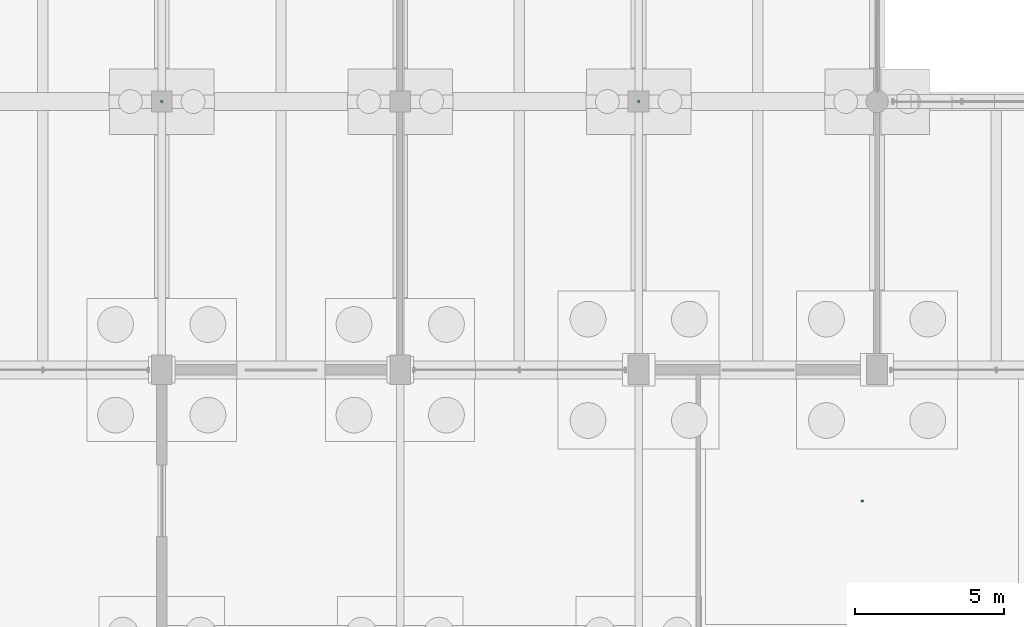
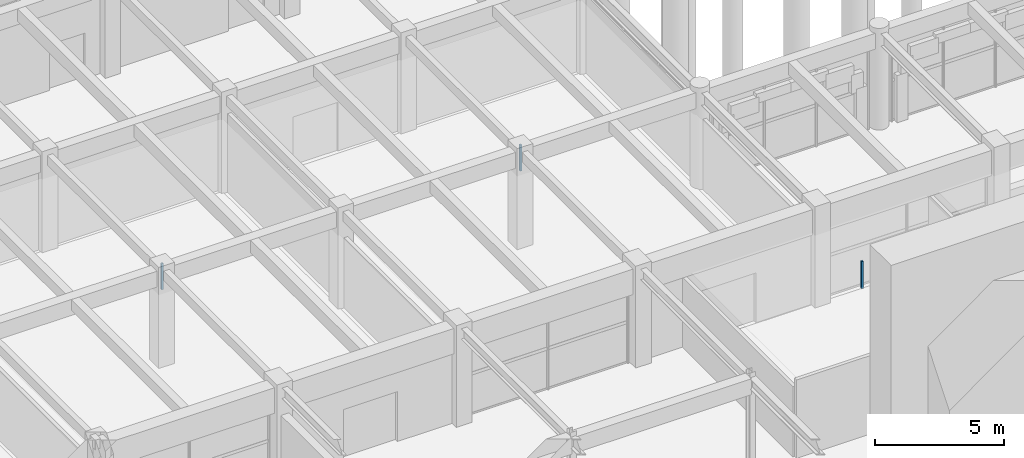
# One storey, part 120 of 147: 3 discrete accessories.
"""IFC4 building model written with IfcOpenShell, lengths in metres."""

from ifc_helpers import new_model, si_unit, direction, frame, origin, origin_2d, place, context, subcontext, project, spatial, rectangle, extrude, material, layer, layer_set, type_object, element, save


model = new_model("IFC4")

# Units and contexts
model_context = context("Model", 3, precision=1e-05, world=origin(), true_north=direction((0.0, 1.0)))
body_context = subcontext(model_context, "Body", "Model", "MODEL_VIEW")
ifc_project = project(units=[si_unit("LENGTHUNIT", "METRE"), si_unit("AREAUNIT", "SQUARE_METRE"), si_unit("VOLUMEUNIT", "CUBIC_METRE"), si_unit("PLANEANGLEUNIT", "RADIAN"), si_unit("MASSUNIT", "GRAM", prefix="KILO")], contexts=[model_context])

# Site, building, storey
site_placement = place(None, origin())
site = spatial("IfcSite", under=ifc_project, at=site_placement, CompositionType="ELEMENT")
building_placement = place(site_placement, origin())
building = spatial("IfcBuilding", under=site, at=building_placement, Name="Varnabhumi Central Station", CompositionType="ELEMENT")
storey_placement = place(building_placement, origin())
storey = spatial("IfcBuildingStorey", under=building, at=storey_placement, Name="L00", CompositionType="ELEMENT", Elevation=0.0)

# Discrete accessories
ifc_material = material(Name="Structural steel E350", Category="steel")
ifc_layer = layer(ifc_material, 0.159912109375, Name="Structural steel E350", Category="steel")
ifc_layer_set = layer_set([ifc_layer], Name="Structural steel E350")
discrete_accessory_type = type_object("IfcDiscreteAccessoryType", Name="ACC-SHADE-BRKT", PredefinedType="BRACKET", material=ifc_layer_set)
discrete_accessory_placement = place(storey_placement, frame((47.5, 75.60009765625, 3.39013671875), z_axis=(0.0, 0.0, 1.0), x_axis=(1.0, 0.0, 0.0)))
element("IfcDiscreteAccessory", 1, at=discrete_accessory_placement, inside=storey, type_object=discrete_accessory_type, Name="Divyangjan Help Booth and Enquiry Ceiling Hanger", PredefinedType="BRACKET", context=body_context, shape_type="SweptSolid", body=[
    extrude(rectangle(XDim=0.080078125, YDim=0.080078125, at=origin_2d()), origin(), (0.0, 0.0, 1.0), 1.280029296875),
])
for number, where, z_axis, x_axis, name in (
    (2, (24.0, 89.0, 3.43994140625), (0.0, 0.0, 1.0), (1.0, 0.0, 0.0), "Bakery and Tea Kiosk Ceiling Hanger"),
    (3, (40.0, 89.0, 3.43994140625), (0.0, 0.0, 1.0), (1.0, 0.0, 0.0), "Luggage and Travel Gear Shop Ceiling Hanger"),
):
    element("IfcDiscreteAccessory", number, at=place(storey_placement, frame(where, z_axis=z_axis, x_axis=x_axis)), inside=storey, type_object=discrete_accessory_type, Name=name, PredefinedType="BRACKET", context=body_context, shape_type="SweptSolid", body=[
        extrude(rectangle(XDim=0.080078125, YDim=0.080078125, at=origin_2d()), origin(), (0.0, 0.0, 1.0), 1.22998046875),
    ])

save(model, "model.ifc")
